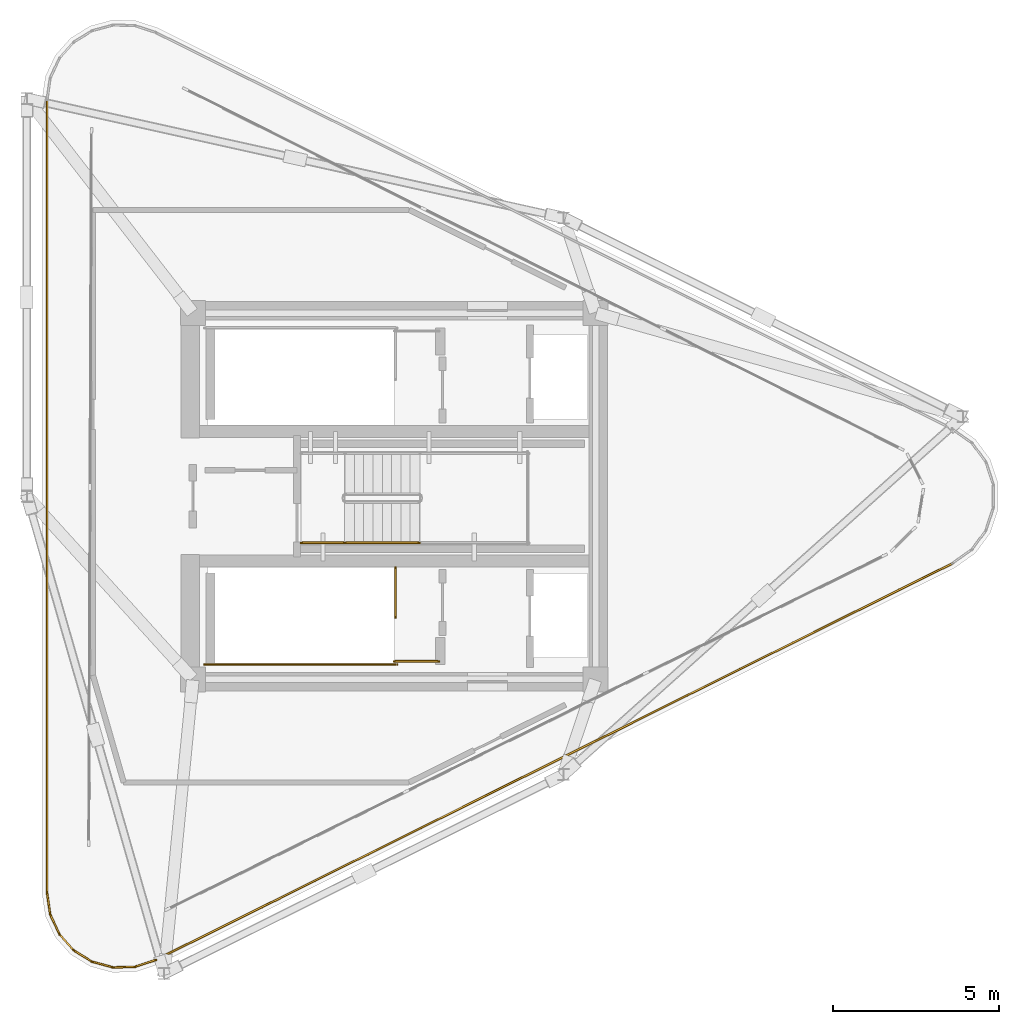
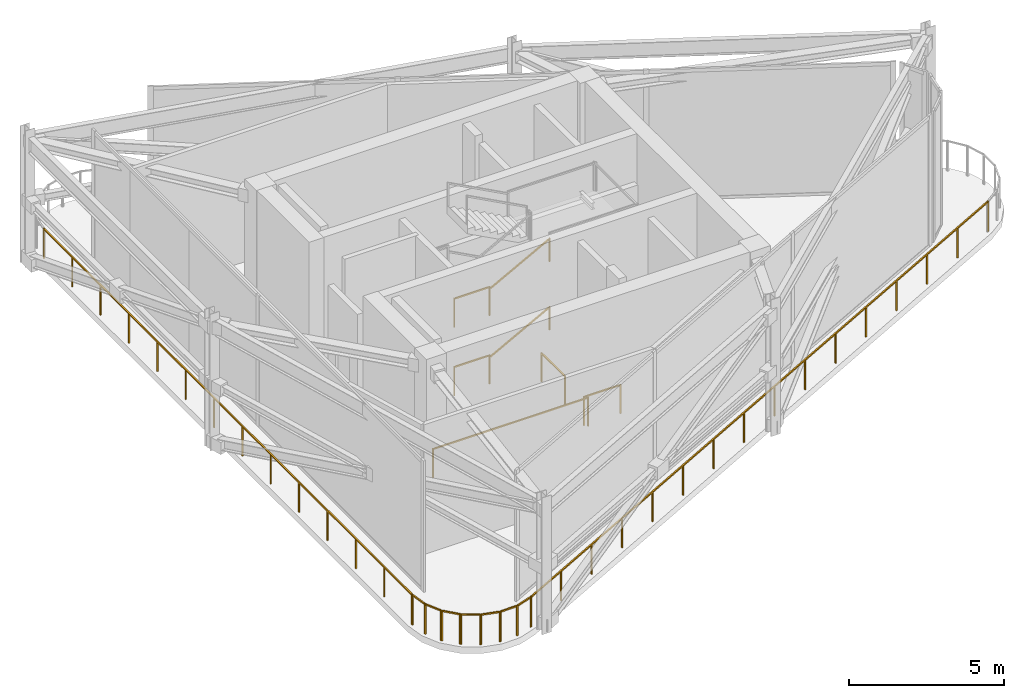
# One storey, part 5 of 7: 16 railings.
"""IFC4 building model written with IfcOpenShell, lengths in metres."""

from ifc_helpers import new_model, si_unit, direction, frame, origin, origin_2d, place, context, subcontext, project, spatial, rectangle, extrude, material, type_object, element, save


model = new_model("IFC4")

# Units and contexts
model_context = context("Model", 3, precision=1e-05, world=origin(), true_north=direction((0.0, 1.0)))
body_context = subcontext(model_context, "Body", "Model", "MODEL_VIEW")
ifc_project = project(units=[si_unit("LENGTHUNIT", "METRE"), si_unit("AREAUNIT", "SQUARE_METRE"), si_unit("VOLUMEUNIT", "CUBIC_METRE"), si_unit("PLANEANGLEUNIT", "RADIAN"), si_unit("MASSUNIT", "GRAM", prefix="KILO")], contexts=[model_context])

# Site, building, storey
site_placement = place(None, origin())
site = spatial("IfcSite", under=ifc_project, at=site_placement, CompositionType="ELEMENT")
building_placement = place(site_placement, origin())
building = spatial("IfcBuilding", under=site, at=building_placement, Name="Yunling Apex Tower", CompositionType="ELEMENT")
storey_placement = place(building_placement, frame((0.0, 0.0, 322.85009765625)))
storey = spatial("IfcBuildingStorey", under=building, at=storey_placement, Name="C02", CompositionType="ELEMENT", Elevation=322.85009765625)

# Railings
ifc_material_1 = material(Name="Bronze anodised aluminium", Category="aluminium")
railing_type_1 = type_object("IfcRailingType", Name="RL-BAL-1200", PredefinedType="BALUSTRADE", material=ifc_material_1)
railing_1_placement = place(storey_placement, frame((-10.431640625, -11.9287109375, 0.0)))
element("IfcRailing", 1, at=railing_1_placement, inside=storey, type_object=railing_type_1, Name="RL-CRN-PERIM-C02-01", PredefinedType="BALUSTRADE", context=body_context, shape_type="SweptSolid", body=[
    extrude(rectangle(XDim=0.0439453125, YDim=0.0439453125, at=origin_2d()), origin(), (0.0, 0.0, 1.0), 1.199951171875),
    extrude(rectangle(XDim=0.0439453125, YDim=0.0439453125, at=origin_2d()), frame((0.0, 23.857421875, 0.0)), (0.0, 0.0, 1.0), 1.199951171875),
    extrude(rectangle(XDim=0.050048828125, YDim=0.050048828125, at=origin_2d()), frame((0.0, 0.038330078125, 1.1748046875), z_axis=(0.0, 1.0, 0.0), x_axis=(-1.0, 0.0, 0.0)), (0.0, 0.0, 1.0), 23.78076171875),
    extrude(rectangle(XDim=0.0439453125, YDim=0.0439453125, at=origin_2d()), frame((0.0, 1.835205078125, 0.0)), (0.0, 0.0, 1.0), 1.14599609375),
    extrude(rectangle(XDim=0.0439453125, YDim=0.0439453125, at=origin_2d()), frame((0.0, 3.67041015625, 0.0)), (0.0, 0.0, 1.0), 1.14599609375),
    extrude(rectangle(XDim=0.0439453125, YDim=0.0439453125, at=origin_2d()), frame((0.0, 5.505615234375, 0.0)), (0.0, 0.0, 1.0), 1.14599609375),
    extrude(rectangle(XDim=0.0439453125, YDim=0.0439453125, at=origin_2d()), frame((0.0, 7.3408203125, 0.0)), (0.0, 0.0, 1.0), 1.14599609375),
    extrude(rectangle(XDim=0.0439453125, YDim=0.0439453125, at=origin_2d()), frame((0.0, 9.176025390625, 0.0)), (0.0, 0.0, 1.0), 1.14599609375),
    extrude(rectangle(XDim=0.0439453125, YDim=0.0439453125, at=origin_2d()), frame((0.0, 11.01123046875, 0.0)), (0.0, 0.0, 1.0), 1.14599609375),
    extrude(rectangle(XDim=0.0439453125, YDim=0.0439453125, at=origin_2d()), frame((0.0, 12.84619140625, 0.0)), (0.0, 0.0, 1.0), 1.14599609375),
    extrude(rectangle(XDim=0.0439453125, YDim=0.0439453125, at=origin_2d()), frame((0.0, 14.681396484375, 0.0)), (0.0, 0.0, 1.0), 1.14599609375),
    extrude(rectangle(XDim=0.0439453125, YDim=0.0439453125, at=origin_2d()), frame((0.0, 16.5166015625, 0.0)), (0.0, 0.0, 1.0), 1.14599609375),
    extrude(rectangle(XDim=0.0439453125, YDim=0.0439453125, at=origin_2d()), frame((0.0, 18.351806640625, 0.0)), (0.0, 0.0, 1.0), 1.14599609375),
    extrude(rectangle(XDim=0.0439453125, YDim=0.0439453125, at=origin_2d()), frame((0.0, 20.18701171875, 0.0)), (0.0, 0.0, 1.0), 1.14599609375),
    extrude(rectangle(XDim=0.0439453125, YDim=0.0439453125, at=origin_2d()), frame((0.0, 22.022216796875, 0.0)), (0.0, 0.0, 1.0), 1.14599609375),
])
railing_2_placement = place(storey_placement, frame((16.7822265625, -2.012939453125, 0.0)))
element("IfcRailing", 2, at=railing_2_placement, inside=storey, type_object=railing_type_1, Name="RL-CRN-PERIM-C02-17", PredefinedType="BALUSTRADE", context=body_context, shape_type="SweptSolid", body=[
    extrude(rectangle(XDim=0.0439453125, YDim=0.0439453125, at=origin_2d()), origin(), (0.0, 0.0, 1.0), 1.199951171875),
    extrude(rectangle(XDim=0.0439453125, YDim=0.0439453125, at=origin_2d()), frame((-23.965087890625, -11.927734375, 0.0)), (0.0, 0.0, 1.0), 1.199951171875),
    extrude(rectangle(XDim=0.050048828125, YDim=0.050048828125, at=origin_2d()), frame((-0.034423828125, -0.01708984375, 1.1748046875), z_axis=(-0.895244682133, -0.445574863645, 0.0), x_axis=(0.445574863645, -0.895244682133, 0.0)), (0.0, 0.0, 1.0), 26.692626953125),
    extrude(rectangle(XDim=0.0439453125, YDim=0.0439453125, at=origin_2d()), frame((-1.59765625, -0.795166015625, 0.0)), (0.0, 0.0, 1.0), 1.14599609375),
    extrude(rectangle(XDim=0.0439453125, YDim=0.0439453125, at=origin_2d()), frame((-3.1953125, -1.59033203125, 0.0)), (0.0, 0.0, 1.0), 1.14599609375),
    extrude(rectangle(XDim=0.0439453125, YDim=0.0439453125, at=origin_2d()), frame((-4.79296875, -2.385498046875, 0.0)), (0.0, 0.0, 1.0), 1.14599609375),
    extrude(rectangle(XDim=0.0439453125, YDim=0.0439453125, at=origin_2d()), frame((-6.390625, -3.1806640625, 0.0)), (0.0, 0.0, 1.0), 1.14599609375),
    extrude(rectangle(XDim=0.0439453125, YDim=0.0439453125, at=origin_2d()), frame((-7.98828125, -3.975830078125, 0.0)), (0.0, 0.0, 1.0), 1.14599609375),
    extrude(rectangle(XDim=0.0439453125, YDim=0.0439453125, at=origin_2d()), frame((-9.5859375, -4.77099609375, 0.0)), (0.0, 0.0, 1.0), 1.14599609375),
    extrude(rectangle(XDim=0.0439453125, YDim=0.0439453125, at=origin_2d()), frame((-11.18359375, -5.566162109375, 0.0)), (0.0, 0.0, 1.0), 1.14599609375),
    extrude(rectangle(XDim=0.0439453125, YDim=0.0439453125, at=origin_2d()), frame((-12.781494140625, -6.361572265625, 0.0)), (0.0, 0.0, 1.0), 1.14599609375),
    extrude(rectangle(XDim=0.0439453125, YDim=0.0439453125, at=origin_2d()), frame((-14.379150390625, -7.15673828125, 0.0)), (0.0, 0.0, 1.0), 1.14599609375),
    extrude(rectangle(XDim=0.0439453125, YDim=0.0439453125, at=origin_2d()), frame((-15.976806640625, -7.951904296875, 0.0)), (0.0, 0.0, 1.0), 1.14599609375),
    extrude(rectangle(XDim=0.0439453125, YDim=0.0439453125, at=origin_2d()), frame((-17.574462890625, -8.7470703125, 0.0)), (0.0, 0.0, 1.0), 1.14599609375),
    extrude(rectangle(XDim=0.0439453125, YDim=0.0439453125, at=origin_2d()), frame((-19.172119140625, -9.542236328125, 0.0)), (0.0, 0.0, 1.0), 1.14599609375),
    extrude(rectangle(XDim=0.0439453125, YDim=0.0439453125, at=origin_2d()), frame((-20.769775390625, -10.33740234375, 0.0)), (0.0, 0.0, 1.0), 1.14599609375),
    extrude(rectangle(XDim=0.0439453125, YDim=0.0439453125, at=origin_2d()), frame((-22.367431640625, -11.132568359375, 0.0)), (0.0, 0.0, 1.0), 1.14599609375),
])
railing_3_placement = place(storey_placement, frame((-7.155029296875, -13.929443359375, 0.0)))
element("IfcRailing", 3, at=railing_3_placement, inside=storey, type_object=railing_type_1, Name="RL-CRN-PERIM-C02-18", PredefinedType="BALUSTRADE", context=body_context, shape_type="SweptSolid", body=[
    extrude(rectangle(XDim=0.0439453125, YDim=0.0439453125, at=origin_2d()), origin(), (0.0, 0.0, 1.0), 1.199951171875),
    extrude(rectangle(XDim=0.0439453125, YDim=0.0439453125, at=origin_2d()), frame((-0.6572265625, -0.21533203125, 0.0)), (0.0, 0.0, 1.0), 1.199951171875),
    extrude(rectangle(XDim=0.050048828125, YDim=0.050048828125, at=origin_2d()), frame((-0.036376953125, -0.011962890625, 1.1748046875), z_axis=(-0.950294622207, -0.311352101332, 0.0), x_axis=(0.311352101332, -0.950294622207, 0.0)), (0.0, 0.0, 1.0), 0.614990234375),
])
railing_4_placement = place(storey_placement, frame((-7.783203125, -14.1396484375, 0.0)))
element("IfcRailing", 4, at=railing_4_placement, inside=storey, type_object=railing_type_1, Name="RL-CRN-PERIM-C02-19", PredefinedType="BALUSTRADE", context=body_context, shape_type="SweptSolid", body=[
    extrude(rectangle(XDim=0.0439453125, YDim=0.0439453125, at=origin_2d()), origin(), (0.0, 0.0, 1.0), 1.199951171875),
    extrude(rectangle(XDim=0.0439453125, YDim=0.0439453125, at=origin_2d()), frame((-0.68017578125, -0.01806640625, 0.0)), (0.0, 0.0, 1.0), 1.199951171875),
    extrude(rectangle(XDim=0.050048828125, YDim=0.050048828125, at=origin_2d()), frame((-0.038330078125, -0.0009765625, 1.1748046875), z_axis=(-0.999647433134, -0.026552013658, 0.0), x_axis=(0.026552013658, -0.999647433134, 0.0)), (0.0, 0.0, 1.0), 0.603759765625),
])
railing_5_placement = place(storey_placement, frame((-8.433837890625, -14.1611328125, 0.0)))
element("IfcRailing", 5, at=railing_5_placement, inside=storey, type_object=railing_type_1, Name="RL-CRN-PERIM-C02-20", PredefinedType="BALUSTRADE", context=body_context, shape_type="SweptSolid", body=[
    extrude(rectangle(XDim=0.0439453125, YDim=0.0439453125, at=origin_2d()), origin(), (0.0, 0.0, 1.0), 1.199951171875),
    extrude(rectangle(XDim=0.0439453125, YDim=0.0439453125, at=origin_2d()), frame((-0.6572265625, 0.177734375, 0.0)), (0.0, 0.0, 1.0), 1.199951171875),
    extrude(rectangle(XDim=0.050048828125, YDim=0.050048828125, at=origin_2d()), frame((-0.037109375, 0.010009765625, 1.1748046875), z_axis=(-0.965324325437, 0.261053532288, 0.0), x_axis=(-0.261053532288, -0.965324325437, 0.0)), (0.0, 0.0, 1.0), 0.604248046875),
])
railing_6_placement = place(storey_placement, frame((-9.063720703125, -13.9951171875, 0.0)))
element("IfcRailing", 6, at=railing_6_placement, inside=storey, type_object=railing_type_1, Name="RL-CRN-PERIM-C02-21", PredefinedType="BALUSTRADE", context=body_context, shape_type="SweptSolid", body=[
    extrude(rectangle(XDim=0.0439453125, YDim=0.0439453125, at=origin_2d()), origin(), (0.0, 0.0, 1.0), 1.199951171875),
    extrude(rectangle(XDim=0.0439453125, YDim=0.0439453125, at=origin_2d()), frame((-0.57861328125, 0.358154296875, 0.0)), (0.0, 0.0, 1.0), 1.199951171875),
    extrude(rectangle(XDim=0.050048828125, YDim=0.050048828125, at=origin_2d()), frame((-0.032470703125, 0.020263671875, 1.1748046875), z_axis=(-0.85028808372, 0.526317560683, 0.0), x_axis=(-0.526317560683, -0.85028808372, 0.0)), (0.0, 0.0, 1.0), 0.603759765625),
])
railing_7_placement = place(storey_placement, frame((-9.61962890625, -13.656005859375, 0.0)))
element("IfcRailing", 7, at=railing_7_placement, inside=storey, type_object=railing_type_1, Name="RL-CRN-PERIM-C02-22", PredefinedType="BALUSTRADE", context=body_context, shape_type="SweptSolid", body=[
    extrude(rectangle(XDim=0.0439453125, YDim=0.0439453125, at=origin_2d()), origin(), (0.0, 0.0, 1.0), 1.199951171875),
    extrude(rectangle(XDim=0.0439453125, YDim=0.0439453125, at=origin_2d()), frame((-0.45166015625, 0.509033203125, 0.0)), (0.0, 0.0, 1.0), 1.199951171875),
    extrude(rectangle(XDim=0.050048828125, YDim=0.050048828125, at=origin_2d()), frame((-0.025390625, 0.028564453125, 1.1748046875), z_axis=(-0.663695548122, 0.748002820451, 0.0), x_axis=(-0.748002820451, -0.663695548122, 0.0)), (0.0, 0.0, 1.0), 0.603759765625),
])
railing_8_placement = place(storey_placement, frame((-10.05517578125, -13.171875, 0.0)))
element("IfcRailing", 8, at=railing_8_placement, inside=storey, type_object=railing_type_1, Name="RL-CRN-PERIM-C02-23", PredefinedType="BALUSTRADE", context=body_context, shape_type="SweptSolid", body=[
    extrude(rectangle(XDim=0.0439453125, YDim=0.0439453125, at=origin_2d()), origin(), (0.0, 0.0, 1.0), 1.199951171875),
    extrude(rectangle(XDim=0.0439453125, YDim=0.0439453125, at=origin_2d()), frame((-0.287109375, 0.6171875, 0.0)), (0.0, 0.0, 1.0), 1.199951171875),
    extrude(rectangle(XDim=0.050048828125, YDim=0.050048828125, at=origin_2d()), frame((-0.01611328125, 0.03466796875, 1.1748046875), z_axis=(-0.421785608643, 0.90669559409, 0.0), x_axis=(-0.90669559409, -0.421785608643, 0.0)), (0.0, 0.0, 1.0), 0.60400390625),
])
railing_9_placement = place(storey_placement, frame((-10.333740234375, -12.583251953125, 0.0)))
element("IfcRailing", 9, at=railing_9_placement, inside=storey, type_object=railing_type_1, Name="RL-CRN-PERIM-C02-24", PredefinedType="BALUSTRADE", context=body_context, shape_type="SweptSolid", body=[
    extrude(rectangle(XDim=0.0439453125, YDim=0.0439453125, at=origin_2d()), origin(), (0.0, 0.0, 1.0), 1.199951171875),
    extrude(rectangle(XDim=0.0439453125, YDim=0.0439453125, at=origin_2d()), frame((-0.10009765625, 0.6845703125, 0.0)), (0.0, 0.0, 1.0), 1.199951171875),
    extrude(rectangle(XDim=0.050048828125, YDim=0.050048828125, at=origin_2d()), frame((-0.005615234375, 0.037841796875, 1.1748046875), z_axis=(-0.144681209552, 0.989478320936, 0.0), x_axis=(-0.989478320936, -0.144681209552, 0.0)), (0.0, 0.0, 1.0), 0.615234375),
])
ifc_material_2 = material(Name="Steel Q355B", Category="steel")
railing_type_2 = type_object("IfcRailingType", Name="RL-GRD-1150", PredefinedType="GUARDRAIL", material=ifc_material_2)
railing_10_placement = place(storey_placement, frame((0.0400390625, -2.139892578125, 0.0)))
element("IfcRailing", 10, at=railing_10_placement, inside=storey, type_object=railing_type_2, Name="C02 ST-2 top well guard 1", PredefinedType="GUARDRAIL", context=body_context, shape_type="SweptSolid", body=[
    extrude(rectangle(XDim=0.0439453125, YDim=0.0439453125, at=origin_2d()), origin(), (0.0, 0.0, 1.0), 1.14990234375),
    extrude(rectangle(XDim=0.0439453125, YDim=0.0439453125, at=origin_2d()), frame((0.0, -1.510009765625, 0.0)), (0.0, 0.0, 1.0), 1.14990234375),
    extrude(rectangle(XDim=0.050048828125, YDim=0.050048828125, at=origin_2d()), frame((0.0, -0.038330078125, 1.125), z_axis=(0.0, -1.0, 0.0), x_axis=(1.0, 0.0, 0.0)), (0.0, 0.0, 1.0), 1.433349609375),
])
railing_11_placement = place(storey_placement, frame((0.090087890625, -5.06005859375, 0.0)))
element("IfcRailing", 11, at=railing_11_placement, inside=storey, type_object=railing_type_2, Name="C02 ST-2 top well guard 2", PredefinedType="GUARDRAIL", context=body_context, shape_type="SweptSolid", body=[
    extrude(rectangle(XDim=0.0439453125, YDim=0.0439453125, at=origin_2d()), origin(), (0.0, 0.0, 1.0), 1.14990234375),
    extrude(rectangle(XDim=0.0439453125, YDim=0.0439453125, at=origin_2d()), frame((-5.7900390625, 0.0, 0.0)), (0.0, 0.0, 1.0), 1.14990234375),
    extrude(rectangle(XDim=0.050048828125, YDim=0.050048828125, at=origin_2d()), frame((-0.038330078125, 0.0, 1.125), z_axis=(-1.0, 0.0, 0.0), x_axis=(0.0, -1.0, 0.0)), (0.0, 0.0, 1.0), 5.71337890625),
])
railing_12_placement = place(storey_placement, frame((1.35009765625, -4.9599609375, 0.0)))
element("IfcRailing", 12, at=railing_12_placement, inside=storey, type_object=railing_type_2, Name="C02 ST-2 top well guard 3", PredefinedType="GUARDRAIL", context=body_context, shape_type="SweptSolid", body=[
    extrude(rectangle(XDim=0.0439453125, YDim=0.0439453125, at=origin_2d()), origin(), (0.0, 0.0, 1.0), 1.14990234375),
    extrude(rectangle(XDim=0.0439453125, YDim=0.0439453125, at=origin_2d()), frame((-1.360107421875, 0.0, 0.0)), (0.0, 0.0, 1.0), 1.14990234375),
    extrude(rectangle(XDim=0.050048828125, YDim=0.050048828125, at=origin_2d()), frame((-0.038330078125, 0.0, 1.125), z_axis=(-1.0, 0.0, 0.0), x_axis=(0.0, -1.0, 0.0)), (0.0, 0.0, 1.0), 1.283447265625),
])
for number, where, name in (
    (13, (-2.800048828125, -1.39990234375, 2.699951171875), "C02 ST-C1 stair guard 8"),
    (14, (-2.800048828125, -1.39990234375, 0.0), "C02 ST-C1 stair guard 17"),
):
    element("IfcRailing", number, at=place(storey_placement, frame(where)), inside=storey, type_object=railing_type_2, Name=name, PredefinedType="GUARDRAIL", context=body_context, shape_type="SweptSolid", body=[
        extrude(rectangle(XDim=0.0439453125, YDim=0.0439453125, at=origin_2d()), origin(), (0.0, 0.0, 1.0), 1.14990234375),
        extrude(rectangle(XDim=0.0439453125, YDim=0.0439453125, at=origin_2d()), frame((1.320068359375, 0.0, 0.0)), (0.0, 0.0, 1.0), 1.14990234375),
        extrude(rectangle(XDim=0.050048828125, YDim=0.050048828125, at=origin_2d()), frame((0.038330078125, 0.0, 1.125), z_axis=(1.0, 0.0, 0.0), x_axis=(0.0, 1.0, 0.0)), (0.0, 0.0, 1.0), 1.243408203125),
    ])
ifc_material_3 = material(Name="Silver anodised aluminium", Category="aluminium")
railing_type_3 = type_object("IfcRailingType", Name="RL-HND-900", PredefinedType="HANDRAIL", material=ifc_material_3)
for number, where, name in (
    (15, (-1.47998046875, -1.39990234375, 0.14990234375), "C02 ST-C1 stair handrail 1"),
    (16, (-1.47998046875, -1.39990234375, 2.849853515625), "C02 ST-C1 stair handrail 3"),
):
    element("IfcRailing", number, at=place(storey_placement, frame(where)), inside=storey, type_object=railing_type_3, Name=name, PredefinedType="HANDRAIL", context=body_context, shape_type="SweptSolid", body=[
        extrude(rectangle(XDim=0.0439453125, YDim=0.0439453125, at=origin_2d()), origin(), (0.0, 0.0, 1.0), 0.919921875),
        extrude(rectangle(XDim=0.0439453125, YDim=0.0439453125, at=origin_2d()), frame((2.239990234375, 0.0, 1.199951171875)), (0.0, 0.0, 1.0), 0.919921875),
        extrude(rectangle(XDim=0.050048828125, YDim=0.050048828125, at=origin_2d()), frame((0.03369140625, 0.0, 0.9130859375), z_axis=(0.881487111273, 0.0, 0.472208081951), x_axis=(0.0, 1.0, 0.0)), (0.0, 0.0, 1.0), 2.464599609375),
    ])

save(model, "model.ifc")
